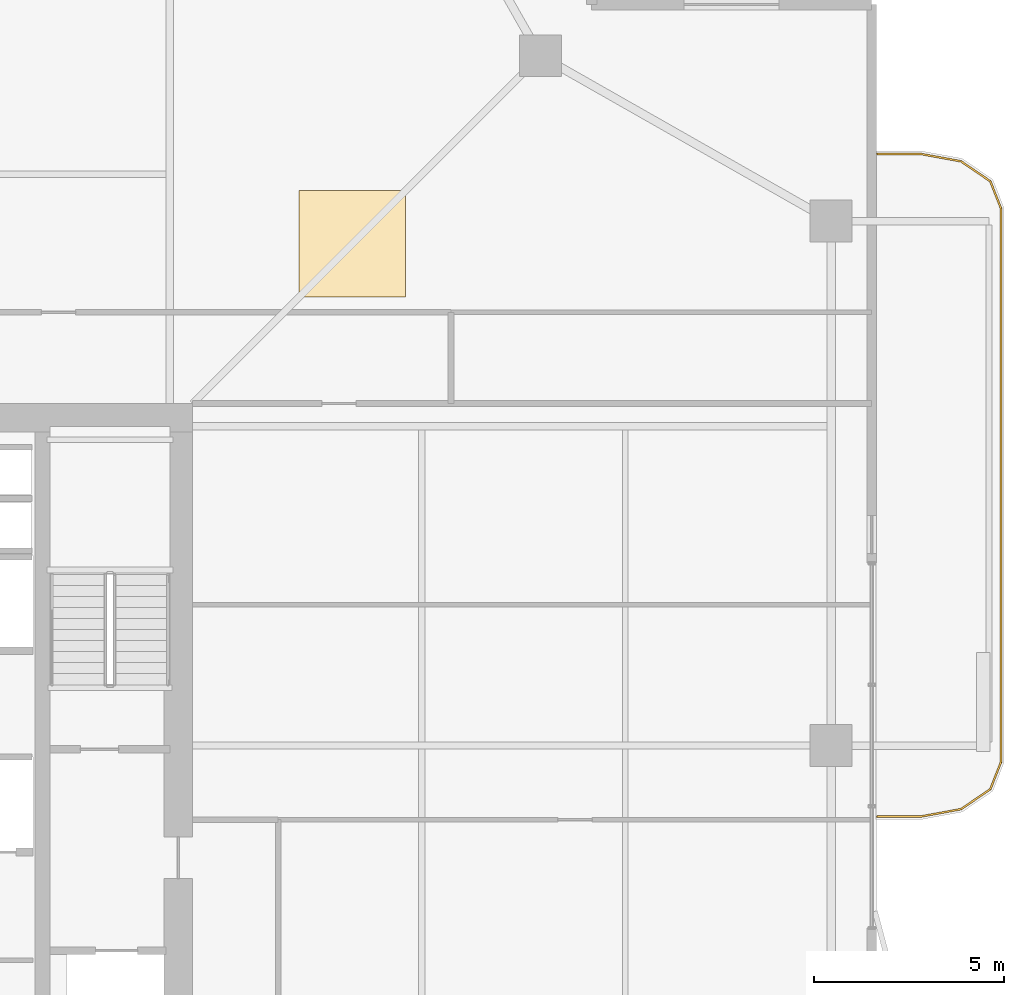
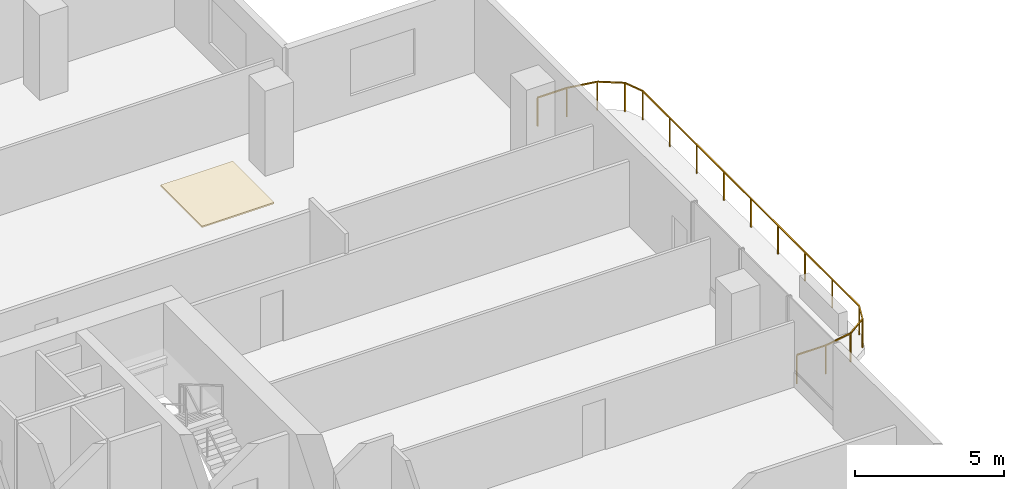
# One storey, part 24 of 24: 1 covering, 1 railing.
"""IFC4 building model written with IfcOpenShell, lengths in metres."""

from ifc_helpers import new_model, si_unit, direction, frame, origin, origin_2d, place, context, subcontext, project, spatial, polyline, rectangle, outline, extrude, material, layer, layer_set, type_object, element, save


model = new_model("IFC4")

# Units and contexts
model_context = context("Model", 3, precision=1e-05, world=origin(), true_north=direction((0.0, 1.0)))
body_context = subcontext(model_context, "Body", "Model", "MODEL_VIEW")
ifc_project = project(units=[si_unit("LENGTHUNIT", "METRE"), si_unit("AREAUNIT", "SQUARE_METRE"), si_unit("VOLUMEUNIT", "CUBIC_METRE"), si_unit("PLANEANGLEUNIT", "RADIAN"), si_unit("MASSUNIT", "GRAM", prefix="KILO")], contexts=[model_context])

# Site, building, storey
site_placement = place(None, origin())
site = spatial("IfcSite", under=ifc_project, at=site_placement, CompositionType="ELEMENT")
building_placement = place(site_placement, origin())
building = spatial("IfcBuilding", under=site, at=building_placement, Name="Belovzor Exchange Tower", CompositionType="ELEMENT")
storey_placement = place(building_placement, frame((0.0, 0.0, 237.449951171875)))
storey = spatial("IfcBuildingStorey", under=building, at=storey_placement, Name="L59", CompositionType="ELEMENT", Elevation=237.449951171875)

# Railing
ifc_material_1 = material(Name="Stainless Steel and Laminated Safety Glass", Category="steel")
railing_type = type_object("IfcRailingType", Name="Laminated Glass & Stainless Steel Balcony Balustrade 1200", PredefinedType="BALUSTRADE", material=ifc_material_1)
railing_placement = place(storey_placement, frame((55.81005859375, 26.929931640625, 0.0)))
element("IfcRailing", 1, at=railing_placement, inside=storey, type_object=railing_type, Name="GR-1 Balcony Balustrade L59 East", PredefinedType="BALUSTRADE", context=body_context, shape_type="SweptSolid", body=[
    extrude(rectangle(XDim=0.048095703125, YDim=0.048095703125, at=origin_2d()), frame((0.0, 0.0, 1.17578125), z_axis=(1.0, 0.0, 0.0), x_axis=(0.0, 1.0, 0.0)), (0.0, 0.0, 1.0), 1.133056640625),
    extrude(rectangle(XDim=0.048095703125, YDim=0.048095703125, at=origin_2d()), frame((1.133056640625, 0.0, 1.17578125), z_axis=(0.983644145941, 0.180122719713, 0.0), x_axis=(-0.180122719713, 0.983644145941, 0.0)), (0.0, 0.0, 1.0), 1.09375),
    extrude(rectangle(XDim=0.048095703125, YDim=0.048095703125, at=origin_2d()), frame((2.208984375, 0.197021484375, 1.17578125), z_axis=(0.826493025367, 0.56294695933, 0.0), x_axis=(-0.56294695933, 0.826493025367, 0.0)), (0.0, 0.0, 1.0), 0.932861328125),
    extrude(rectangle(XDim=0.048095703125, YDim=0.048095703125, at=origin_2d()), frame((2.97998046875, 0.72216796875, 1.17578125), z_axis=(0.365612923861, 0.930766990125, 0.0), x_axis=(-0.930766990125, 0.365612923861, 0.0)), (0.0, 0.0, 1.0), 0.765869140625),
    extrude(rectangle(XDim=0.048095703125, YDim=0.048095703125, at=origin_2d()), frame((3.260009765625, 1.43505859375, 1.17578125), z_axis=(0.0, 1.0, 0.0), x_axis=(-1.0, 0.0, 0.0)), (0.0, 0.0, 1.0), 14.570068359375),
    extrude(rectangle(XDim=0.048095703125, YDim=0.048095703125, at=origin_2d()), frame((3.260009765625, 16.005126953125, 1.17578125), z_axis=(-0.365612923861, 0.930766990125, 0.0), x_axis=(-0.930766990125, -0.365612923861, 0.0)), (0.0, 0.0, 1.0), 0.765869140625),
    extrude(rectangle(XDim=0.048095703125, YDim=0.048095703125, at=origin_2d()), frame((2.97998046875, 16.718017578125, 1.17578125), z_axis=(-0.826493025367, 0.56294695933, 0.0), x_axis=(-0.56294695933, -0.826493025367, 0.0)), (0.0, 0.0, 1.0), 0.932861328125),
    extrude(rectangle(XDim=0.048095703125, YDim=0.048095703125, at=origin_2d()), frame((2.208984375, 17.2431640625, 1.17578125), z_axis=(-0.983644145941, 0.180122719713, 0.0), x_axis=(-0.180122719713, -0.983644145941, 0.0)), (0.0, 0.0, 1.0), 1.09375),
    extrude(rectangle(XDim=0.048095703125, YDim=0.048095703125, at=origin_2d()), frame((1.133056640625, 17.440185546875, 1.17578125), z_axis=(-1.0, 0.0, 0.0), x_axis=(0.0, -1.0, 0.0)), (0.0, 0.0, 1.0), 1.133056640625),
    extrude(rectangle(XDim=0.0419921875, YDim=0.0419921875, at=origin_2d()), origin(), (0.0, 0.0, 1.0), 1.15185546875),
    extrude(rectangle(XDim=0.0419921875, YDim=0.0419921875, at=origin_2d()), frame((1.133056640625, 0.0, 0.0)), (0.0, 0.0, 1.0), 1.15185546875),
    extrude(rectangle(XDim=0.0419921875, YDim=0.0419921875, at=origin_2d()), frame((2.208984375, 0.197021484375, 0.0)), (0.0, 0.0, 1.0), 1.15185546875),
    extrude(rectangle(XDim=0.0419921875, YDim=0.0419921875, at=origin_2d()), frame((2.97998046875, 0.72216796875, 0.0)), (0.0, 0.0, 1.0), 1.15185546875),
    extrude(rectangle(XDim=0.0419921875, YDim=0.0419921875, at=origin_2d()), frame((3.260009765625, 1.43505859375, 0.0)), (0.0, 0.0, 1.0), 1.15185546875),
    extrude(rectangle(XDim=0.0419921875, YDim=0.0419921875, at=origin_2d()), frame((3.260009765625, 3.25634765625, 0.0)), (0.0, 0.0, 1.0), 1.15185546875),
    extrude(rectangle(XDim=0.0419921875, YDim=0.0419921875, at=origin_2d()), frame((3.260009765625, 5.07763671875, 0.0)), (0.0, 0.0, 1.0), 1.15185546875),
    extrude(rectangle(XDim=0.0419921875, YDim=0.0419921875, at=origin_2d()), frame((3.260009765625, 6.89892578125, 0.0)), (0.0, 0.0, 1.0), 1.15185546875),
    extrude(rectangle(XDim=0.0419921875, YDim=0.0419921875, at=origin_2d()), frame((3.260009765625, 8.72021484375, 0.0)), (0.0, 0.0, 1.0), 1.15185546875),
    extrude(rectangle(XDim=0.0419921875, YDim=0.0419921875, at=origin_2d()), frame((3.260009765625, 10.541259765625, 0.0)), (0.0, 0.0, 1.0), 1.15185546875),
    extrude(rectangle(XDim=0.0419921875, YDim=0.0419921875, at=origin_2d()), frame((3.260009765625, 12.362548828125, 0.0)), (0.0, 0.0, 1.0), 1.15185546875),
    extrude(rectangle(XDim=0.0419921875, YDim=0.0419921875, at=origin_2d()), frame((3.260009765625, 14.183837890625, 0.0)), (0.0, 0.0, 1.0), 1.15185546875),
    extrude(rectangle(XDim=0.0419921875, YDim=0.0419921875, at=origin_2d()), frame((3.260009765625, 16.005126953125, 0.0)), (0.0, 0.0, 1.0), 1.15185546875),
    extrude(rectangle(XDim=0.0419921875, YDim=0.0419921875, at=origin_2d()), frame((2.97998046875, 16.718017578125, 0.0)), (0.0, 0.0, 1.0), 1.15185546875),
    extrude(rectangle(XDim=0.0419921875, YDim=0.0419921875, at=origin_2d()), frame((2.208984375, 17.2431640625, 0.0)), (0.0, 0.0, 1.0), 1.15185546875),
    extrude(rectangle(XDim=0.0419921875, YDim=0.0419921875, at=origin_2d()), frame((1.133056640625, 17.440185546875, 0.0)), (0.0, 0.0, 1.0), 1.15185546875),
    extrude(rectangle(XDim=0.0419921875, YDim=0.0419921875, at=origin_2d()), frame((0.0, 17.440185546875, 0.0)), (0.0, 0.0, 1.0), 1.15185546875),
])

# Covering
ifc_material_2 = material(Name="Perforated Powder-Coated Aluminium", Category="aluminium")
ifc_layer = layer(ifc_material_2, 0.06005859375)
ifc_layer_set = layer_set([ifc_layer], Name="Perforated Powder-Coated Aluminium")
covering_type = type_object("IfcCoveringType", Name="Perforated Acoustic Metal Tile Suspended Ceiling 60", PredefinedType="CEILING", material=ifc_layer_set)
covering_placement = place(storey_placement, frame((0.0, 0.0, 3.43994140625)))
element("IfcCovering", 2, at=covering_placement, inside=storey, type_object=covering_type, Name="CLG-AC60 Suspended Ceiling CLG-L59-Z2", PredefinedType="CEILING", context=body_context, shape_type="SweptSolid", body=[
    extrude(outline(polyline([(40.60009765625, 40.60009765625), (43.39990234375, 40.60009765625), (43.39990234375, 43.39990234375), (40.60009765625, 43.39990234375), (40.60009765625, 40.60009765625)])), origin(), (0.0, 0.0, 1.0), 0.06005859375),
])

save(model, "model.ifc")
